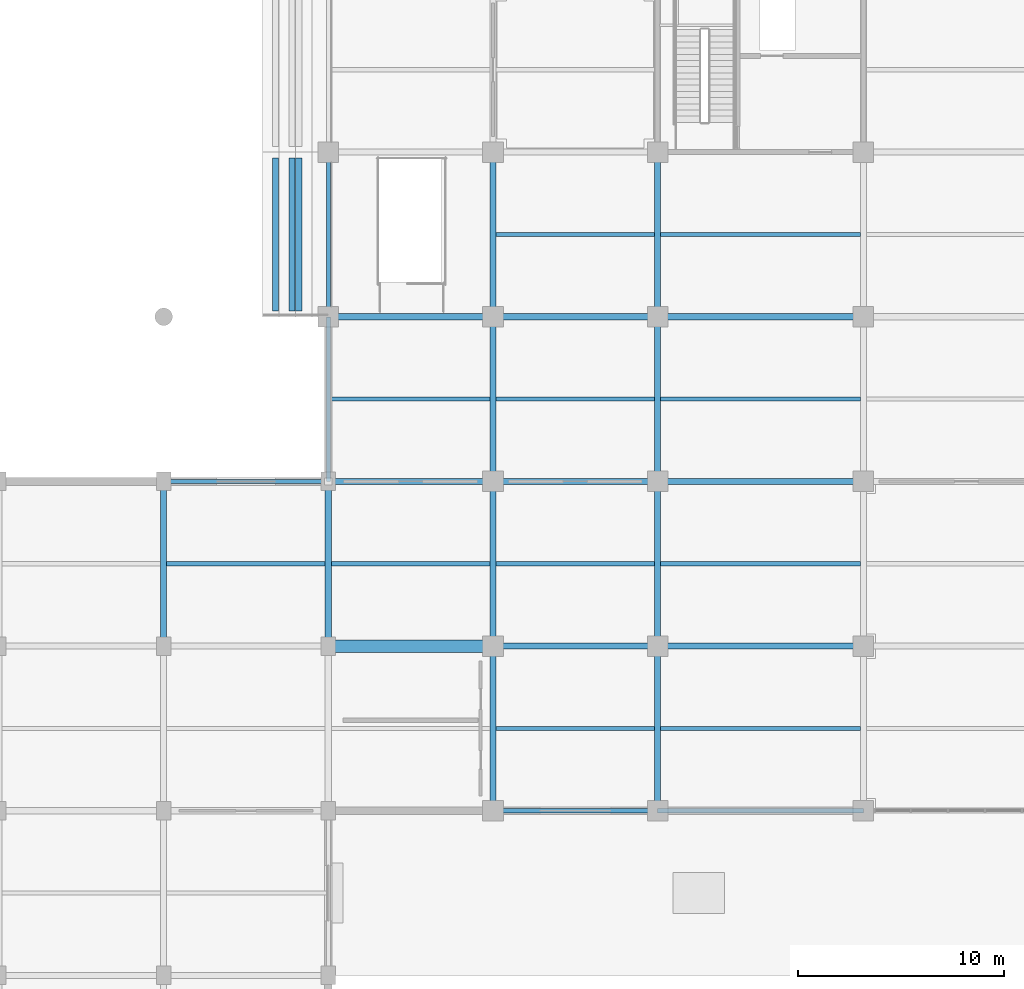
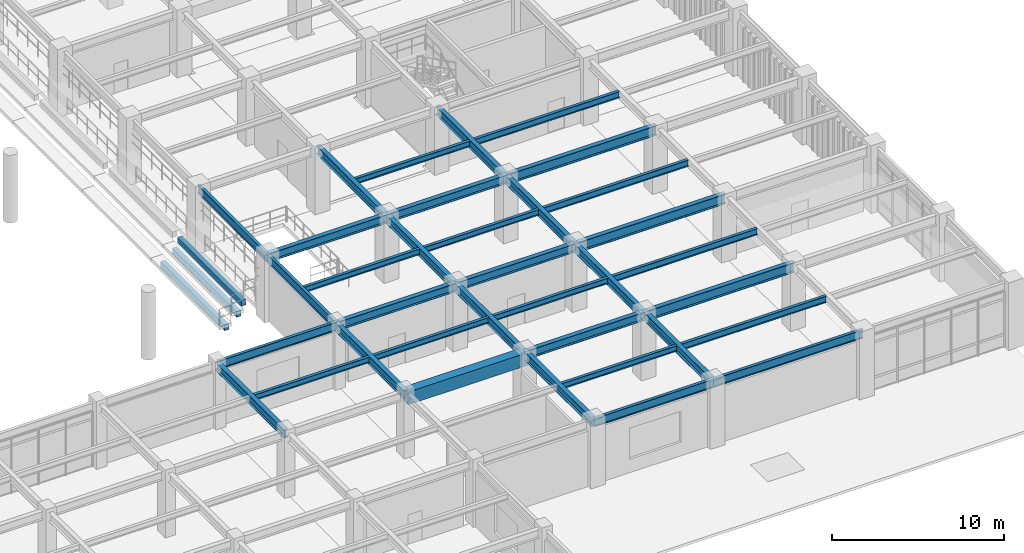
# One storey, part 32 of 117: 38 beams.
"""IFC4 building model written with IfcOpenShell, lengths in metres."""

import ifcopenshell
import ifcopenshell.guid

model = None  # the IFC model being written
_history = None  # IfcOwnerHistory: only IFC2X3 demands one
_inside = {}  # id of a spatial element -> (the spatial element, [elements in it])
_under = {}  # id of a project, library or spatial element -> (it, [spatial elements below it])
_declared = {}  # id of a project -> (the project, [libraries it declares])
_typed = {}  # id of a type object -> (the type object, [elements of that type])
_made_of = {}  # id of a material, layer set ... -> (it, [elements and type objects made of it])


def new_model(schema):
    """Start an empty IFC model of exactly this schema.

    Asked for "IFC4X3", IfcOpenShell would pick the latest addendum, in which some entities
    have other attributes; the version numbers below select the first issue.
    IFC2X3 requires an IfcOwnerHistory on every rooted entity: one is made here for all.
    """
    global model, _history
    if schema == "IFC4X3":
        model = ifcopenshell.file(schema_version=(4, 3, 0, 0))
    else:
        model = ifcopenshell.file(schema=schema)
    _inside.clear()
    _under.clear()
    _declared.clear()
    _typed.clear()
    _made_of.clear()
    _history = None
    if model.schema == "IFC2X3":
        org = make("IfcOrganization", Name="unknown")
        user = make(
            "IfcPersonAndOrganization",
            ThePerson=make("IfcPerson", FamilyName="unknown"),
            TheOrganization=org,
        )
        app = make(
            "IfcApplication",
            ApplicationDeveloper=org,
            Version="unknown",
            ApplicationFullName="unknown",
            ApplicationIdentifier="unknown",
        )
        _history = make(
            "IfcOwnerHistory",
            OwningUser=user,
            OwningApplication=app,
            ChangeAction="ADDED",
            CreationDate=0,
        )
    return model


def make(cls, **values):
    """One entity of the class cls with the attributes given. An attribute that is None is left unset."""
    return model.create_entity(
        cls, **{name: value for name, value in values.items() if value is not None}
    )


def rooted(cls, **values):
    """An entity with a GlobalId (a new one), such as an element, a storey or a relation."""
    return make(cls, GlobalId=ifcopenshell.guid.new(), OwnerHistory=_history, **values)


def si_unit(unit_type, name, prefix=None):
    """IfcSIUnit, for example si_unit("LENGTHUNIT", "METRE", prefix="MILLI")."""
    return make("IfcSIUnit", UnitType=unit_type, Prefix=prefix, Name=name)


def assignment(units):
    """IfcUnitAssignment: the units of a project."""
    return None if units is None else make("IfcUnitAssignment", Units=units)


def point(xyz):
    """IfcCartesianPoint."""
    return None if xyz is None else make("IfcCartesianPoint", Coordinates=xyz)


def direction(xyz):
    """IfcDirection."""
    return None if xyz is None else make("IfcDirection", DirectionRatios=xyz)


def frame(location, z_axis=None, x_axis=None):
    """IfcAxis2Placement3D, a coordinate frame: its origin and axes. An axis left out is left unset."""
    return make(
        "IfcAxis2Placement3D",
        Location=point(location),
        Axis=direction(z_axis),
        RefDirection=direction(x_axis),
    )


def frame_2d(location, x_axis=None):
    """IfcAxis2Placement2D, a coordinate frame in the plane: its origin and x axis."""
    return make(
        "IfcAxis2Placement2D", Location=point(location), RefDirection=direction(x_axis)
    )


def origin():
    """The frame at (0, 0, 0) with its axes left unset."""
    return frame((0.0, 0.0, 0.0))


def origin_2d():
    """The frame at (0, 0) in the plane with its x axis left unset."""
    return frame_2d((0.0, 0.0))


def place(relative_to, where):
    """IfcLocalPlacement: puts the frame where relative to a parent placement (None: the world)."""
    return make(
        "IfcLocalPlacement", PlacementRelTo=relative_to, RelativePlacement=where
    )


def context(
    kind, dimensions, precision=None, world=None, true_north=None, identifier=None
):
    """IfcGeometricRepresentationContext, for example the 3D "Model" context."""
    return make(
        "IfcGeometricRepresentationContext",
        ContextIdentifier=identifier,
        ContextType=kind,
        CoordinateSpaceDimension=dimensions,
        Precision=precision,
        WorldCoordinateSystem=world,
        TrueNorth=true_north,
    )


def subcontext(parent, identifier, kind, view, scale=None):
    """IfcGeometricRepresentationSubContext, for example "Body" below "Model"."""
    return make(
        "IfcGeometricRepresentationSubContext",
        ContextIdentifier=identifier,
        ContextType=kind,
        ParentContext=parent,
        TargetScale=scale,
        TargetView=view,
    )


def project(units=None, contexts=None):
    """IfcProject with its units and contexts."""
    return rooted(
        "IfcProject",
        Name="project",
        RepresentationContexts=contexts,
        UnitsInContext=assignment(units),
    )


def spatial(cls, under=None, at=None, **own):
    """A site, building, storey or space (cls), placed at a placement, below another one or the project."""
    s = rooted(cls, ObjectPlacement=at, **own)
    if under is not None:
        _under.setdefault(under.id(), (under, []))[1].append(s)
    return s


def profile(cls, at=None, kind="AREA", **sizes):
    """A parametric profile (cls). Its sizes go by their IFC names, for example OverallWidth=200.0."""
    return make(cls, ProfileType=kind, Position=at, **sizes)


def rectangle(**sizes):
    """IfcRectangleProfileDef."""
    return profile("IfcRectangleProfileDef", **sizes)


def i_section(**sizes):
    """IfcIShapeProfileDef."""
    return profile("IfcIShapeProfileDef", **sizes)


def extrude(swept, where, along, depth):
    """IfcExtrudedAreaSolid: the profile swept, set in the frame where, extruded along a direction by depth."""
    return make(
        "IfcExtrudedAreaSolid",
        SweptArea=swept,
        Position=where,
        ExtrudedDirection=direction(along),
        Depth=depth,
    )


def shape(context_of_items, identifier, shape_type, items):
    """IfcShapeRepresentation: the items that make up one representation, for example the "Body"."""
    return make(
        "IfcShapeRepresentation",
        ContextOfItems=context_of_items,
        RepresentationIdentifier=identifier,
        RepresentationType=shape_type,
        Items=items,
    )


def material(Name=None, Category=None):
    """IfcMaterial."""
    return make("IfcMaterial", Name=Name, Category=Category)


def material_profile(
    of_material, cross_section, Name=None, Category=None, Priority=None
):
    """IfcMaterialProfile: a cross section and its material."""
    return make(
        "IfcMaterialProfile",
        Name=Name,
        Material=of_material,
        Profile=cross_section,
        Priority=Priority,
        Category=Category,
    )


def profile_set(profiles, Name=None, composite=None):
    """IfcMaterialProfileSet."""
    return make(
        "IfcMaterialProfileSet",
        Name=Name,
        MaterialProfiles=profiles,
        CompositeProfile=composite,
    )


def made_of(thing, what):
    """Note that an element or type object is made of a material, layer set ...; save() writes the relation."""
    if what is not None:
        _made_of.setdefault(what.id(), (what, []))[1].append(thing)
    return thing


def type_object(cls, material=None, **own):
    """A type object (cls), such as IfcWallType, which elements share."""
    return made_of(rooted(cls, **own), material)


def element(
    cls,
    number,
    at=None,
    inside=None,
    cuts=None,
    type_object=None,
    material=None,
    context=None,
    identifier="Body",
    shape_type=None,
    held_by="IfcProductDefinitionShape",
    body=None,
    shapes=None,
    **own,
):
    """One element of the class cls, such as IfcWall. Its Tag is "e" and its number.

    at: its placement. inside: the storey or other place that contains it. cuts: it is an
    opening in that element (IfcRelVoidsElement). A single representation is given by context,
    identifier, shape_type and body (its items); several are given by shapes. held_by: the class
    of the entity that holds the representations. save() writes the other relations.
    """
    e = rooted(cls, Tag="e%d" % number, ObjectPlacement=at, **own)
    if body is not None:
        shapes = [shape(context, identifier, shape_type, body)]
    if shapes is not None:
        e.Representation = make(held_by, Representations=shapes)
    if inside is not None:
        _inside.setdefault(inside.id(), (inside, []))[1].append(e)
    if cuts is not None:
        rooted(
            "IfcRelVoidsElement", RelatingBuildingElement=cuts, RelatedOpeningElement=e
        )
    if type_object is not None:
        _typed.setdefault(type_object.id(), (type_object, []))[1].append(e)
    return made_of(e, material)


def aggregate(whole, parts):
    """IfcRelAggregates: a whole, such as a stair, and the parts it consists of."""
    return rooted("IfcRelAggregates", RelatingObject=whole, RelatedObjects=parts)


def save(model, path):
    """Write the relations noted so far, then the file.

    IfcRelAggregates (storeys below a building ...), IfcRelContainedInSpatialStructure (elements
    in a storey), IfcRelDefinesByType, IfcRelAssociatesMaterial and IfcRelDeclares: one each for
    every whole, place, type object, material and project.
    """
    for whole, parts in _under.values():
        aggregate(whole, parts)
    for where, things in _inside.values():
        rooted(
            "IfcRelContainedInSpatialStructure",
            RelatedElements=things,
            RelatingStructure=where,
        )
    for kind, things in _typed.values():
        rooted("IfcRelDefinesByType", RelatedObjects=things, RelatingType=kind)
    for what, things in _made_of.values():
        rooted("IfcRelAssociatesMaterial", RelatedObjects=things, RelatingMaterial=what)
    for by, libraries in _declared.values():
        rooted("IfcRelDeclares", RelatingContext=by, RelatedDefinitions=libraries)
    model.write(path)


model = new_model("IFC4")

# Units and contexts
model_context = context("Model", 3, precision=1e-05, world=origin(), true_north=direction((0.0, 1.0)))
body_context = subcontext(model_context, "Body", "Model", "MODEL_VIEW")
ifc_project = project(units=[si_unit("LENGTHUNIT", "METRE"), si_unit("AREAUNIT", "SQUARE_METRE"), si_unit("VOLUMEUNIT", "CUBIC_METRE"), si_unit("PLANEANGLEUNIT", "RADIAN"), si_unit("MASSUNIT", "GRAM", prefix="KILO")], contexts=[model_context])

# Site, building, storey
site_placement = place(None, origin())
site = spatial("IfcSite", under=ifc_project, at=site_placement, CompositionType="ELEMENT")
building_placement = place(site_placement, origin())
building = spatial("IfcBuilding", under=site, at=building_placement, Name="Haebicheon Civic Stadium", CompositionType="ELEMENT")
storey_placement = place(building_placement, frame((0.0, 0.0, 4.800048828125)))
storey = spatial("IfcBuildingStorey", under=building, at=storey_placement, Name="L02", CompositionType="ELEMENT", Elevation=4.800048828125)

# Beams
ifc_material_1 = material(Name="Precast concrete C40/50", Category="concrete")
ifc_material_profile_1 = material_profile(ifc_material_1, rectangle(XDim=0.300048828125, YDim=0.39990234375, at=origin_2d()), Name="PC-LN-300x400")
ifc_profile_set_1 = profile_set([ifc_material_profile_1], Name="Precast concrete C40/50")
beam_type_1 = type_object("IfcBeamType", Name="BM-LN-300x400", PredefinedType="LINTEL", material=ifc_profile_set_1)
for number, where, z_axis, x_axis, name in (
    (1, (197.43994140625, 56.280029296875, -0.0400390625), (0.0, 1.0, 0.0), (-1.0, 0.0, 0.0), "TIER-C-L precast step carrier beam 1.7"),
    (2, (198.239990234375, 56.280029296875, 0.626953125), (0.0, 1.0, 0.0), (-1.0, 0.0, 0.0), "TIER-C-L precast step carrier beam 1.8"),
    (3, (198.56005859375, 56.280029296875, 1.29296875), (0.0, 1.0, 0.0), (-1.0, 0.0, 0.0), "TIER-C-L precast step carrier beam 1.9"),
):
    element("IfcBeam", number, at=place(storey_placement, frame(where, z_axis=z_axis, x_axis=x_axis)), inside=storey, type_object=beam_type_1, material=ifc_profile_set_1, Name=name, PredefinedType="LINTEL", context=body_context, shape_type="SweptSolid", body=[
        extrude(rectangle(XDim=0.300048828125, YDim=0.39990234375, at=origin_2d()), origin(), (0.0, 0.0, 1.0), 7.43994140625),
    ])
ifc_material_2 = material(Name="Concrete C40/50", Category="concrete")
ifc_material_profile_2 = material_profile(ifc_material_2, rectangle(XDim=0.60009765625, YDim=0.89990234375, at=origin_2d()), Name="RC-BM-600x900")
ifc_profile_set_2 = profile_set([ifc_material_profile_2], Name="Concrete C40/50")
beam_type_2 = type_object("IfcBeamType", Name="BM-RC-600x900", PredefinedType="BEAM", material=ifc_profile_set_2)
beam_1_placement = place(storey_placement, frame((200.0, 40.0, 4.070068359375), z_axis=(1.0, 0.0, 0.0), x_axis=(0.0, 1.0, 0.0)))
element("IfcBeam", 4, at=beam_1_placement, inside=storey, type_object=beam_type_2, material=ifc_profile_set_2, Name="L02 beam F/26-27", PredefinedType="BEAM", context=body_context, shape_type="SweptSolid", body=[
    extrude(rectangle(XDim=0.60009765625, YDim=0.89990234375, at=origin_2d()), origin(), (0.0, 0.0, 1.0), 8.0),
])
ifc_material_3 = material(Name="Steel SM355 (S355)", Category="steel")
ifc_material_profile_3 = material_profile(ifc_material_3, i_section(OverallWidth=0.300048828125, OverallDepth=0.60009765625, WebThickness=0.011962890625, FlangeThickness=0.02001953125, at=origin_2d()), Name="H-600x300x12x20")
ifc_profile_set_3 = profile_set([ifc_material_profile_3], Name="Steel SM355 (S355)")
beam_type_3 = type_object("IfcBeamType", Name="BM-ST-H600A", PredefinedType="BEAM", material=ifc_profile_set_3)
for number, where, z_axis, x_axis, name in (
    (5, (192.0, 40.0, 4.219970703125), (0.0, 1.0, 0.0), (-1.0, 0.0, 0.0), "L02 girder 25/F-G"),
    (6, (200.0, 40.0, 4.219970703125), (0.0, 1.0, 0.0), (-1.0, 0.0, 0.0), "L02 girder 26/F-G"),
    (7, (208.0, 32.0, 4.280029296875), (0.0, 1.0, 0.0), (-1.0, 0.0, 0.0), "L02 girder 27/E-F"),
    (8, (208.0, 40.0, 4.219970703125), (0.0, 1.0, 0.0), (-1.0, 0.0, 0.0), "L02 girder 27/F-G"),
    (9, (208.0, 48.0, 4.219970703125), (0.0, 1.0, 0.0), (-1.0, 0.0, 0.0), "L02 girder 27/G-H"),
    (10, (208.0, 56.0, 4.219970703125), (0.0, 1.0, 0.0), (-1.0, 0.0, 0.0), "L02 girder 27/H-J"),
    (11, (216.0, 32.0, 4.280029296875), (0.0, 1.0, 0.0), (-1.0, 0.0, 0.0), "L02 girder 28/E-F"),
    (12, (216.0, 40.0, 4.219970703125), (0.0, 1.0, 0.0), (-1.0, 0.0, 0.0), "L02 girder 28/F-G"),
    (13, (216.0, 48.0, 4.219970703125), (0.0, 1.0, 0.0), (-1.0, 0.0, 0.0), "L02 girder 28/G-H"),
    (14, (216.0, 56.0, 4.219970703125), (0.0, 1.0, 0.0), (-1.0, 0.0, 0.0), "L02 girder 28/H-J"),
    (15, (200.0, 48.0, 4.219970703125), (1.0, 0.0, 0.0), (0.0, 1.0, 0.0), "L02 beam G/26-27"),
    (16, (200.0, 56.0, 4.219970703125), (1.0, 0.0, 0.0), (0.0, 1.0, 0.0), "L02 beam H/26-27"),
    (17, (208.0, 40.0, 4.219970703125), (1.0, 0.0, 0.0), (0.0, 1.0, 0.0), "L02 beam F/27-28"),
    (18, (208.0, 48.0, 4.219970703125), (1.0, 0.0, 0.0), (0.0, 1.0, 0.0), "L02 beam G/27-28"),
    (19, (208.0, 56.0, 4.219970703125), (1.0, 0.0, 0.0), (0.0, 1.0, 0.0), "L02 beam H/27-28"),
):
    element("IfcBeam", number, at=place(storey_placement, frame(where, z_axis=z_axis, x_axis=x_axis)), inside=storey, type_object=beam_type_3, material=ifc_profile_set_3, Name=name, PredefinedType="BEAM", context=body_context, shape_type="SweptSolid", body=[
        extrude(i_section(OverallWidth=0.300048828125, OverallDepth=0.60009765625, WebThickness=0.011962890625, FlangeThickness=0.02001953125, at=origin_2d()), origin(), (0.0, 0.0, 1.0), 8.0),
    ])
ifc_material_4 = material(Name="Steel SM490", Category="steel")
ifc_material_profile_4 = material_profile(ifc_material_4, i_section(OverallWidth=0.300048828125, OverallDepth=0.699951171875, WebThickness=0.012939453125, FlangeThickness=0.02392578125, at=origin_2d()), Name="H-700x300x13x24")
ifc_profile_set_4 = profile_set([ifc_material_profile_4], Name="Steel SM490")
beam_type_4 = type_object("IfcBeamType", Name="BM-ST-H700", PredefinedType="BEAM", material=ifc_profile_set_4)
for number, where, z_axis, x_axis, name in (
    (20, (216.0, 40.0, 4.169921875), (1.0, 0.0, 0.0), (0.0, 1.0, 0.0), "L02 beam F/28-29"),
    (21, (216.0, 48.0, 4.169921875), (1.0, 0.0, 0.0), (0.0, 1.0, 0.0), "L02 beam G/28-29"),
    (22, (216.0, 56.0, 4.169921875), (1.0, 0.0, 0.0), (0.0, 1.0, 0.0), "L02 beam H/28-29"),
):
    element("IfcBeam", number, at=place(storey_placement, frame(where, z_axis=z_axis, x_axis=x_axis)), inside=storey, type_object=beam_type_4, material=ifc_profile_set_4, Name=name, PredefinedType="BEAM", context=body_context, shape_type="SweptSolid", body=[
        extrude(i_section(OverallWidth=0.300048828125, OverallDepth=0.699951171875, WebThickness=0.012939453125, FlangeThickness=0.02392578125, at=origin_2d()), origin(), (0.0, 0.0, 1.0), 10.0),
    ])
ifc_material_5 = material(Name="Steel SM355 (S355)", Category="steel")
ifc_material_profile_5 = material_profile(ifc_material_5, i_section(OverallWidth=0.199951171875, OverallDepth=0.39990234375, WebThickness=0.008056640625, FlangeThickness=0.012939453125, at=origin_2d()), Name="H-400x200x8x13")
ifc_profile_set_5 = profile_set([ifc_material_profile_5], Name="Steel SM355 (S355)")
beam_type_5 = type_object("IfcBeamType", Name="JST-ST-H400", PredefinedType="JOIST", material=ifc_profile_set_5)
for number, where, z_axis, x_axis, name in (
    (23, (192.14990234375, 44.0, 4.320068359375), (1.0, 0.0, 0.0), (0.0, 1.0, 0.0), "L02 secondary joist 24-05"),
    (24, (200.14990234375, 44.0, 4.320068359375), (1.0, 0.0, 0.0), (0.0, 1.0, 0.0), "L02 secondary joist 25-05"),
):
    element("IfcBeam", number, at=place(storey_placement, frame(where, z_axis=z_axis, x_axis=x_axis)), inside=storey, type_object=beam_type_5, material=ifc_profile_set_5, Name=name, PredefinedType="JOIST", context=body_context, shape_type="SweptSolid", body=[
        extrude(i_section(OverallWidth=0.199951171875, OverallDepth=0.39990234375, WebThickness=0.008056640625, FlangeThickness=0.012939453125, at=origin_2d()), origin(), (0.0, 0.0, 1.0), 7.7001953125),
    ])
beam_2_placement = place(storey_placement, frame((200.10009765625, 52.0, 4.320068359375), z_axis=(1.0, 0.0, 0.0), x_axis=(0.0, 1.0, 0.0)))
element("IfcBeam", 25, at=beam_2_placement, inside=storey, type_object=beam_type_5, material=ifc_profile_set_5, Name="L02 secondary joist 25-06", PredefinedType="JOIST", context=body_context, shape_type="SweptSolid", body=[
    extrude(i_section(OverallWidth=0.199951171875, OverallDepth=0.39990234375, WebThickness=0.008056640625, FlangeThickness=0.012939453125, at=origin_2d()), origin(), (0.0, 0.0, 1.0), 7.75),
])
for number, where, z_axis, x_axis, name in (
    (26, (208.14990234375, 36.0, 4.3798828125), (1.0, 0.0, 0.0), (0.0, 1.0, 0.0), "L02 secondary joist 26-04"),
    (27, (208.14990234375, 44.0, 4.320068359375), (1.0, 0.0, 0.0), (0.0, 1.0, 0.0), "L02 secondary joist 26-05"),
    (28, (208.14990234375, 52.0, 4.320068359375), (1.0, 0.0, 0.0), (0.0, 1.0, 0.0), "L02 secondary joist 26-06"),
    (29, (208.14990234375, 60.0, 4.320068359375), (1.0, 0.0, 0.0), (0.0, 1.0, 0.0), "L02 secondary joist 26-07"),
):
    element("IfcBeam", number, at=place(storey_placement, frame(where, z_axis=z_axis, x_axis=x_axis)), inside=storey, type_object=beam_type_5, material=ifc_profile_set_5, Name=name, PredefinedType="JOIST", context=body_context, shape_type="SweptSolid", body=[
        extrude(i_section(OverallWidth=0.199951171875, OverallDepth=0.39990234375, WebThickness=0.008056640625, FlangeThickness=0.012939453125, at=origin_2d()), origin(), (0.0, 0.0, 1.0), 7.7001953125),
    ])
ifc_material_6 = material(Name="Steel SM355 (S355)", Category="steel")
ifc_material_profile_6 = material_profile(ifc_material_6, i_section(OverallWidth=0.199951171875, OverallDepth=0.449951171875, WebThickness=0.009033203125, FlangeThickness=0.013916015625, at=origin_2d()), Name="H-450x200x9x14")
ifc_profile_set_6 = profile_set([ifc_material_profile_6], Name="Steel SM355 (S355)")
beam_type_6 = type_object("IfcBeamType", Name="JST-ST-H450", PredefinedType="JOIST", material=ifc_profile_set_6)
for number, where, z_axis, x_axis, name in (
    (30, (216.14990234375, 36.0, 4.35498046875), (1.0, 0.0, 0.0), (0.0, 1.0, 0.0), "L02 secondary joist 27-04"),
    (31, (216.14990234375, 44.0, 4.294921875), (1.0, 0.0, 0.0), (0.0, 1.0, 0.0), "L02 secondary joist 27-05"),
    (32, (216.14990234375, 52.0, 4.294921875), (1.0, 0.0, 0.0), (0.0, 1.0, 0.0), "L02 secondary joist 27-06"),
    (33, (216.14990234375, 60.0, 4.294921875), (1.0, 0.0, 0.0), (0.0, 1.0, 0.0), "L02 secondary joist 27-07"),
):
    element("IfcBeam", number, at=place(storey_placement, frame(where, z_axis=z_axis, x_axis=x_axis)), inside=storey, type_object=beam_type_6, material=ifc_profile_set_6, Name=name, PredefinedType="JOIST", context=body_context, shape_type="SweptSolid", body=[
        extrude(i_section(OverallWidth=0.199951171875, OverallDepth=0.449951171875, WebThickness=0.009033203125, FlangeThickness=0.013916015625, at=origin_2d()), origin(), (0.0, 0.0, 1.0), 9.7001953125),
    ])
ifc_material_7 = material(Name="Steel SM355 (S355)", Category="steel")
ifc_material_profile_7 = material_profile(ifc_material_7, i_section(OverallWidth=0.199951171875, OverallDepth=0.60009765625, WebThickness=0.010986328125, FlangeThickness=0.01708984375, at=origin_2d()), Name="H-600x200x11x17")
ifc_profile_set_7 = profile_set([ifc_material_profile_7], Name="Steel SM355 (S355)")
beam_type_7 = type_object("IfcBeamType", Name="SPD-ST-H600B", PredefinedType="SPANDREL", material=ifc_profile_set_7)
for number, where, z_axis, x_axis, name in (
    (34, (200.0, 48.0, 4.219970703125), (0.0, 1.0, 0.0), (-1.0, 0.0, 0.0), "L02 girder 26/G-H"),
    (35, (200.0, 56.0, 4.219970703125), (0.0, 1.0, 0.0), (-1.0, 0.0, 0.0), "L02 girder 26/H-J"),
    (36, (192.0, 48.0, 4.219970703125), (1.0, 0.0, 0.0), (0.0, 1.0, 0.0), "L02 beam G/25-26"),
    (37, (208.0, 32.0, 4.280029296875), (1.0, 0.0, 0.0), (0.0, 1.0, 0.0), "L02 beam E/27-28"),
):
    element("IfcBeam", number, at=place(storey_placement, frame(where, z_axis=z_axis, x_axis=x_axis)), inside=storey, type_object=beam_type_7, material=ifc_profile_set_7, Name=name, PredefinedType="SPANDREL", context=body_context, shape_type="SweptSolid", body=[
        extrude(i_section(OverallWidth=0.199951171875, OverallDepth=0.60009765625, WebThickness=0.010986328125, FlangeThickness=0.01708984375, at=origin_2d()), origin(), (0.0, 0.0, 1.0), 8.0),
    ])
beam_3_placement = place(storey_placement, frame((216.0, 32.0, 4.280029296875), z_axis=(1.0, 0.0, 0.0), x_axis=(0.0, 1.0, 0.0)))
element("IfcBeam", 38, at=beam_3_placement, inside=storey, type_object=beam_type_7, material=ifc_profile_set_7, Name="L02 beam E/28-29", PredefinedType="SPANDREL", context=body_context, shape_type="SweptSolid", body=[
    extrude(i_section(OverallWidth=0.199951171875, OverallDepth=0.60009765625, WebThickness=0.010986328125, FlangeThickness=0.01708984375, at=origin_2d()), origin(), (0.0, 0.0, 1.0), 10.0),
])

save(model, "model.ifc")
